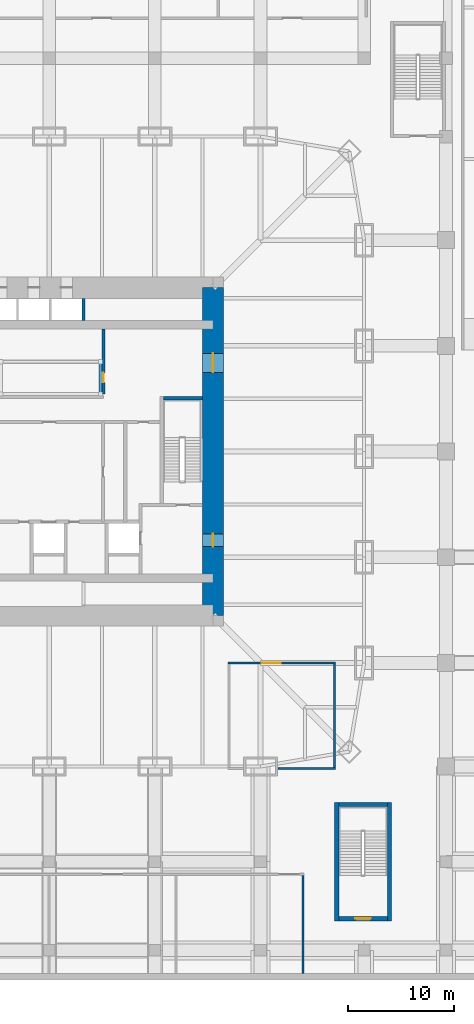
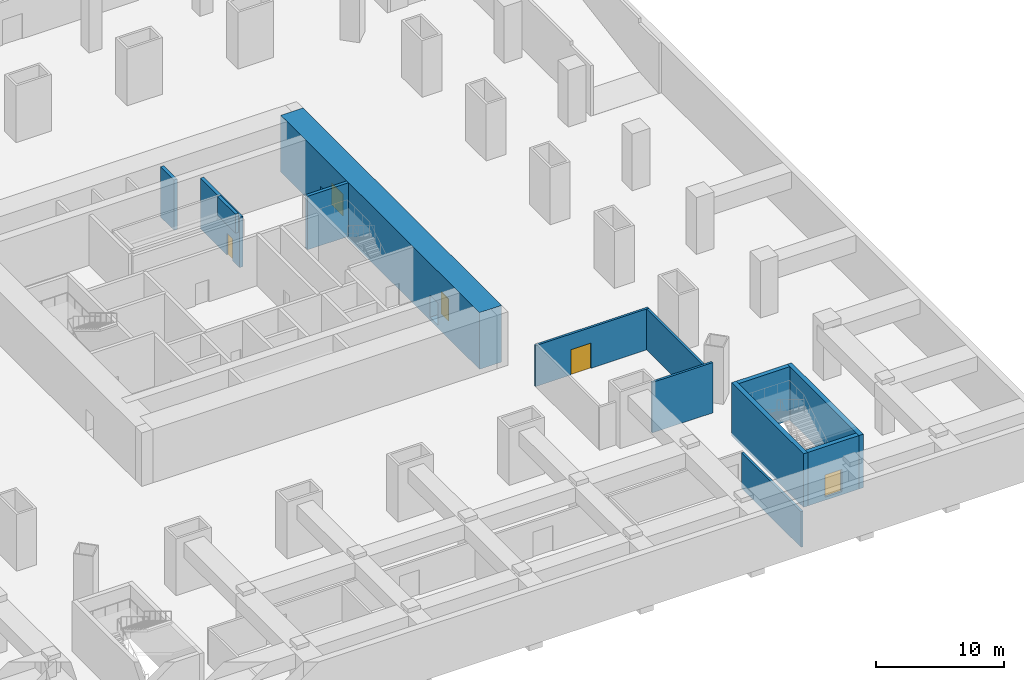
# One storey, part 7 of 12: 13 walls, 5 doors, 5 openings.
"""IFC4 building model written with IfcOpenShell, lengths in metres."""

from ifc_helpers import new_model, si_unit, direction, frame, frame_2d, origin, place, context, subcontext, project, spatial, rectangle, extrude, material, layer, layer_set, type_object, element, fill, save


model = new_model("IFC4")

# Units and contexts
model_context = context("Model", 3, precision=1e-05, world=origin(), true_north=direction((0.0, 1.0)))
body_context = subcontext(model_context, "Body", "Model", "MODEL_VIEW")
ifc_project = project(units=[si_unit("LENGTHUNIT", "METRE"), si_unit("AREAUNIT", "SQUARE_METRE"), si_unit("VOLUMEUNIT", "CUBIC_METRE"), si_unit("PLANEANGLEUNIT", "RADIAN"), si_unit("MASSUNIT", "GRAM", prefix="KILO")], contexts=[model_context])

# Site, building, storey
site_placement = place(None, origin())
site = spatial("IfcSite", under=ifc_project, at=site_placement, CompositionType="ELEMENT")
building_placement = place(site_placement, origin())
building = spatial("IfcBuilding", under=site, at=building_placement, Name="Khuree Lantern Residences", CompositionType="ELEMENT")
storey_placement = place(building_placement, frame((0.0, 0.0, -5.39990234375)))
storey = spatial("IfcBuildingStorey", under=building, at=storey_placement, Name="B1", CompositionType="ELEMENT", Elevation=-5.39990234375)

# Wall
ifc_material_1 = material(Name="Dense concrete blockwork", Category="masonry")
ifc_layer_1 = layer(ifc_material_1, 0.300048828125)
ifc_layer_set_1 = layer_set([ifc_layer_1], Name="CORE PARTITION WALL CPW300 EI 120")
wall_type_1 = type_object("IfcWallType", Name="CORE PARTITION WALL CPW300 EI 120", PredefinedType="PARTITIONING", material=ifc_layer_set_1)
wall_1_placement = place(storey_placement, frame((3.25, 12.39990234375, 0.0), z_axis=(0.0, 0.0, 1.0), x_axis=(0.0, 1.0, 0.0)))
element("IfcWall", 1, at=wall_1_placement, inside=storey, type_object=wall_type_1, Name="B1 CORE WALL PLE", PredefinedType="PARTITIONING", context=body_context, shape_type="SweptSolid", body=[
    extrude(rectangle(XDim=2.10009765625, YDim=0.300048828125, at=frame_2d((1.050048828125, 0.0))), origin(), (0.0, 0.0, 1.0), 4.7998046875),
])

# Wall, opening, door
wall_2_placement = place(storey_placement, frame((5.14990234375, 5.449951171875, 0.0), z_axis=(0.0, 0.0, 1.0), x_axis=(0.0, 1.0, 0.0)))
wall_2 = element("IfcWall", 2, at=wall_2_placement, inside=storey, type_object=wall_type_1, Name="B1 CORE WALL NE", PredefinedType="PARTITIONING", context=body_context, shape_type="SweptSolid", body=[
    extrude(rectangle(XDim=6.150146484375, YDim=0.300048828125, at=frame_2d((3.0751953125, 0.0))), origin(), (0.0, 0.0, 1.0), 4.7998046875),
])
opening_1_placement = place(wall_2_placement, frame((1.10009765625, 0.0, 0.0)))
opening_1 = element("IfcOpeningElement", 3, at=opening_1_placement, cuts=wall_2, Name="Opening B1-020", PredefinedType="OPENING", context=body_context, shape_type="SweptSolid", body=[
    extrude(rectangle(XDim=0.89990234375, YDim=2.10009765625, at=frame_2d((0.449951171875, 1.050048828125))), frame((0.0, 0.16015625, 0.0), z_axis=(0.0, -1.0, 0.0), x_axis=(1.0, 0.0, 0.0)), (0.0, 0.0, 1.0), 0.320068359375),
])
ifc_material_2 = material(Name="Timber door leaf in hardwood frame", Category="wood")
door_type_1 = type_object("IfcDoorType", Name="DOOR 900X2100", OperationType="SINGLE_SWING_LEFT", PredefinedType="DOOR", material=ifc_material_2)
door_1_placement = place(opening_1_placement, origin())
door_1 = element("IfcDoor", 4, at=door_1_placement, inside=storey, type_object=door_type_1, Name="Store door B1-020", OperationType="SINGLE_SWING_LEFT", OverallHeight=2.10009765625, OverallWidth=0.89990234375, PredefinedType="DOOR", context=body_context, shape_type="SweptSolid", body=[
    extrude(rectangle(XDim=0.89990234375, YDim=2.10009765625, at=frame_2d((0.449951171875, 1.050048828125))), frame((0.0, 0.02490234375, 0.0), z_axis=(0.0, -1.0, 0.0), x_axis=(1.0, 0.0, 0.0)), (0.0, 0.0, 1.0), 0.050048828125),
])
fill(opening_1, door_1)

# Wall, openings, doors
ifc_material_3 = material(Name="Concrete C70/85", Category="concrete")
ifc_layer_2 = layer(ifc_material_3, 2.0)
ifc_layer_set_2 = layer_set([ifc_layer_2], Name="CW2000-C70 CORE WALL C70 2000")
wall_type_2 = type_object("IfcWallType", Name="CW2000-C70 CORE WALL C70 2000", PredefinedType="SHEAR", material=ifc_layer_set_2)
wall_3_placement = place(storey_placement, frame((15.5, -15.5, -0.300048828125), z_axis=(0.0, 0.0, 1.0), x_axis=(0.0, 1.0, 0.0)))
wall_3 = element("IfcWall", 5, at=wall_3_placement, inside=storey, type_object=wall_type_2, Name="Core wall E", PredefinedType="SHEAR", context=body_context, shape_type="SweptSolid", body=[
    extrude(rectangle(XDim=31.0, YDim=2.0, at=frame_2d((15.5, 0.0))), origin(), (0.0, 0.0, 1.0), 5.39990234375),
])
opening_2_placement = place(wall_3_placement, frame((6.5, 0.0, 0.300048828125)))
opening_2 = element("IfcOpeningElement", 6, at=opening_2_placement, cuts=wall_3, Name="Opening B1-005", PredefinedType="OPENING", context=body_context, shape_type="SweptSolid", body=[
    extrude(rectangle(XDim=1.199951171875, YDim=2.10009765625, at=frame_2d((0.60009765625, 1.050048828125))), frame((0.0, 1.010009765625, 0.0), z_axis=(0.0, -1.0, 0.0), x_axis=(1.0, 0.0, 0.0)), (0.0, 0.0, 1.0), 2.02001953125),
])
opening_3_placement = place(wall_3_placement, frame((23.0, 0.0, 0.300048828125)))
opening_3 = element("IfcOpeningElement", 7, at=opening_3_placement, cuts=wall_3, Name="Opening B1-006", PredefinedType="OPENING", context=body_context, shape_type="SweptSolid", body=[
    extrude(rectangle(XDim=1.800048828125, YDim=2.10009765625, at=frame_2d((0.89990234375, 1.050048828125))), frame((0.0, 1.010009765625, 0.0), z_axis=(0.0, -1.0, 0.0), x_axis=(1.0, 0.0, 0.0)), (0.0, 0.0, 1.0), 2.02001953125),
])
ifc_material_4 = material(Name="Steel door leaf in steel frame", Category="steel")
door_type_2 = type_object("IfcDoorType", Name="LOBBY DOOR 1200X2100 EI 120", OperationType="SINGLE_SWING_LEFT", PredefinedType="DOOR", material=ifc_material_4)
door_2_placement = place(opening_2_placement, origin())
door_2 = element("IfcDoor", 8, at=door_2_placement, inside=storey, type_object=door_type_2, Name="Firefighting lobby door B1-005", OperationType="SINGLE_SWING_LEFT", OverallHeight=2.10009765625, OverallWidth=1.199951171875, PredefinedType="DOOR", context=body_context, shape_type="SweptSolid", body=[
    extrude(rectangle(XDim=1.199951171875, YDim=2.10009765625, at=frame_2d((0.60009765625, 1.050048828125))), frame((0.0, 0.02490234375, 0.0), z_axis=(0.0, -1.0, 0.0), x_axis=(1.0, 0.0, 0.0)), (0.0, 0.0, 1.0), 0.050048828125),
])
fill(opening_2, door_2)
door_type_3 = type_object("IfcDoorType", Name="LOBBY DOUBLE DOOR 1800X2100 EI 60", OperationType="DOUBLE_DOOR_SINGLE_SWING", PredefinedType="DOOR", material=ifc_material_4)
door_3_placement = place(opening_3_placement, origin())
door_3 = element("IfcDoor", 9, at=door_3_placement, inside=storey, type_object=door_type_3, Name="Lift lobby door B1-006", OperationType="DOUBLE_DOOR_SINGLE_SWING", OverallHeight=2.10009765625, OverallWidth=1.800048828125, PredefinedType="DOOR", context=body_context, shape_type="SweptSolid", body=[
    extrude(rectangle(XDim=1.800048828125, YDim=2.10009765625, at=frame_2d((0.89990234375, 1.050048828125))), frame((0.0, 0.02490234375, 0.0), z_axis=(0.0, -1.0, 0.0), x_axis=(1.0, 0.0, 0.0)), (0.0, 0.0, 1.0), 0.050048828125),
])
fill(opening_3, door_3)

# Walls
ifc_layer_3 = layer(ifc_material_1, 0.199951171875)
ifc_layer_set_3 = layer_set([ifc_layer_3], Name="FIRE-RATED ROOM WALL FRW200 EI 120")
wall_type_3 = type_object("IfcWallType", Name="FIRE-RATED ROOM WALL FRW200 EI 120", PredefinedType="SOLIDWALL", material=ifc_layer_set_3)
wall_4_placement = place(storey_placement, frame((24.0, -49.3798828125, 0.0), z_axis=(0.0, 0.0, 1.0), x_axis=(0.0, 1.0, 0.0)))
element("IfcWall", 10, at=wall_4_placement, inside=storey, type_object=wall_type_3, Name="B1 ROOM WALL 5", PredefinedType="SOLIDWALL", context=body_context, shape_type="SweptSolid", body=[
    extrude(rectangle(XDim=9.27978515625, YDim=0.199951171875, at=frame_2d((4.639892578125, 0.0))), origin(), (0.0, 0.0, 1.0), 3.39990234375),
])
wall_5_placement = place(storey_placement, frame((21.630126953125, -30.0, 0.0), z_axis=(0.0, 0.0, 1.0), x_axis=(1.0, 0.0, 0.0)))
element("IfcWall", 11, at=wall_5_placement, inside=storey, type_object=wall_type_3, Name="B1 ROOM WALL 9", PredefinedType="SOLIDWALL", context=body_context, shape_type="SweptSolid", body=[
    extrude(rectangle(XDim=5.469970703125, YDim=0.199951171875, at=frame_2d((2.73486328125, 0.0))), origin(), (0.0, 0.0, 1.0), 4.7998046875),
])
wall_6_placement = place(storey_placement, frame((27.0, -29.89990234375, 0.0), z_axis=(0.0, 0.0, 1.0), x_axis=(0.0, 1.0, 0.0)))
element("IfcWall", 12, at=wall_6_placement, inside=storey, type_object=wall_type_3, Name="B1 ROOM WALL 11", PredefinedType="SOLIDWALL", context=body_context, shape_type="SweptSolid", body=[
    extrude(rectangle(XDim=9.7998046875, YDim=0.199951171875, at=frame_2d((4.89990234375, 0.0))), origin(), (0.0, 0.0, 1.0), 3.89990234375),
])

# Wall, opening, door
wall_7_placement = place(storey_placement, frame((16.89990234375, -20.0, 0.0), z_axis=(0.0, 0.0, 1.0), x_axis=(1.0, 0.0, 0.0)))
wall_7 = element("IfcWall", 13, at=wall_7_placement, inside=storey, type_object=wall_type_3, Name="B1 ROOM WALL 14", PredefinedType="SOLIDWALL", context=body_context, shape_type="SweptSolid", body=[
    extrude(rectangle(XDim=10.2001953125, YDim=0.199951171875, at=frame_2d((5.10009765625, 0.0))), origin(), (0.0, 0.0, 1.0), 3.89990234375),
])
opening_4_placement = place(wall_7_placement, frame((3.199951171875, 0.0, 0.0)))
opening_4 = element("IfcOpeningElement", 14, at=opening_4_placement, cuts=wall_7, Name="Opening B1-030", PredefinedType="OPENING", context=body_context, shape_type="SweptSolid", body=[
    extrude(rectangle(XDim=1.800048828125, YDim=2.39990234375, at=frame_2d((0.89990234375, 1.199951171875))), frame((0.0, 0.10986328125, 0.0), z_axis=(0.0, -1.0, 0.0), x_axis=(1.0, 0.0, 0.0)), (0.0, 0.0, 1.0), 0.219970703125),
])
door_type_4 = type_object("IfcDoorType", Name="PLANT ROOM DOOR 1800X2400 EI 120", OperationType="DOUBLE_DOOR_SINGLE_SWING", PredefinedType="DOOR", material=ifc_material_4)
door_4_placement = place(opening_4_placement, origin())
door_4 = element("IfcDoor", 15, at=door_4_placement, inside=storey, type_object=door_type_4, Name="Generator room door B1-030", OperationType="DOUBLE_DOOR_SINGLE_SWING", OverallHeight=2.39990234375, OverallWidth=1.800048828125, PredefinedType="DOOR", context=body_context, shape_type="SweptSolid", body=[
    extrude(rectangle(XDim=1.800048828125, YDim=2.39990234375, at=frame_2d((0.89990234375, 1.199951171875))), frame((0.0, 0.02490234375, 0.0), z_axis=(0.0, -1.0, 0.0), x_axis=(1.0, 0.0, 0.0)), (0.0, 0.0, 1.0), 0.050048828125),
])
fill(opening_4, door_4)

# Walls
ifc_material_5 = material(Name="Concrete C40/50", Category="concrete")
ifc_layer_4 = layer(ifc_material_5, 0.300048828125)
ifc_layer_set_4 = layer_set([ifc_layer_4], Name="LIFT PIT WALL PW2 300")
wall_type_4 = type_object("IfcWallType", Name="LIFT PIT WALL PW2 300", PredefinedType="SOLIDWALL", material=ifc_layer_set_4)
wall_8_placement = place(storey_placement, frame((4.85009765625, 5.60009765625, 3.2998046875), z_axis=(0.0, 0.0, 1.0), x_axis=(0.0, 1.0, 0.0)))
element("IfcWall", 16, at=wall_8_placement, inside=storey, type_object=wall_type_4, Name="Lift bank PH pit wall", PredefinedType="SOLIDWALL", context=body_context, shape_type="SweptSolid", body=[
    extrude(rectangle(XDim=2.7998046875, YDim=0.300048828125, at=frame_2d((1.39990234375, 0.0))), origin(), (0.0, 0.0, 1.0), 1.800048828125),
])
ifc_layer_5 = layer(ifc_material_5, 0.39990234375)
ifc_layer_set_5 = layer_set([ifc_layer_5], Name="STAIR WALL BSW400 REI 240")
wall_type_5 = type_object("IfcWallType", Name="STAIR WALL BSW400 REI 240", PredefinedType="SOLIDWALL", material=ifc_layer_set_5)
for number, where, z_axis, x_axis, name in (
    (17, (27.199951171875, -44.39990234375, -0.300048828125), (0.0, 0.0, 1.0), (0.0, 1.0, 0.0), "B1 STAIR ST6 WALL W"),
    (18, (32.199951171875, -44.39990234375, -0.300048828125), (0.0, 0.0, 1.0), (0.0, 1.0, 0.0), "B1 STAIR ST6 WALL E"),
):
    element("IfcWall", number, at=place(storey_placement, frame(where, z_axis=z_axis, x_axis=x_axis)), inside=storey, type_object=wall_type_5, Name=name, PredefinedType="SOLIDWALL", context=body_context, shape_type="SweptSolid", body=[
        extrude(rectangle(XDim=11.199951171875, YDim=0.39990234375, at=frame_2d((5.60009765625, 0.0))), origin(), (0.0, 0.0, 1.0), 5.099853515625),
    ])

# Wall, opening, door
wall_9_placement = place(storey_placement, frame((27.39990234375, -44.199951171875, -0.300048828125), z_axis=(0.0, 0.0, 1.0), x_axis=(1.0, 0.0, 0.0)))
wall_9 = element("IfcWall", 19, at=wall_9_placement, inside=storey, type_object=wall_type_5, Name="B1 STAIR ST6 WALL S", PredefinedType="SOLIDWALL", context=body_context, shape_type="SweptSolid", body=[
    extrude(rectangle(XDim=4.60009765625, YDim=0.39990234375, at=frame_2d((2.300048828125, 0.0))), origin(), (0.0, 0.0, 1.0), 5.099853515625),
])
opening_5_placement = place(wall_9_placement, frame((1.550048828125, 0.0, 0.300048828125)))
opening_5 = element("IfcOpeningElement", 20, at=opening_5_placement, cuts=wall_9, Name="Opening B1-022", PredefinedType="OPENING", context=body_context, shape_type="SweptSolid", body=[
    extrude(rectangle(XDim=1.5, YDim=2.10009765625, at=frame_2d((0.75, 1.050048828125))), frame((0.0, 0.2099609375, 0.0), z_axis=(0.0, -1.0, 0.0), x_axis=(1.0, 0.0, 0.0)), (0.0, 0.0, 1.0), 0.419921875),
])
door_type_5 = type_object("IfcDoorType", Name="STAIR DOOR 1500X2100 EI 120", OperationType="DOUBLE_DOOR_SINGLE_SWING", PredefinedType="DOOR", material=ifc_material_4)
door_5_placement = place(opening_5_placement, origin())
door_5 = element("IfcDoor", 21, at=door_5_placement, inside=storey, type_object=door_type_5, Name="Stair ST6 door B1-022", OperationType="DOUBLE_DOOR_SINGLE_SWING", OverallHeight=2.10009765625, OverallWidth=1.5, PredefinedType="DOOR", context=body_context, shape_type="SweptSolid", body=[
    extrude(rectangle(XDim=1.5, YDim=2.10009765625, at=frame_2d((0.75, 1.050048828125))), frame((0.0, 0.02490234375, 0.0), z_axis=(0.0, -1.0, 0.0), x_axis=(1.0, 0.0, 0.0)), (0.0, 0.0, 1.0), 0.050048828125),
])
fill(opening_5, door_5)

# Walls
wall_10_placement = place(storey_placement, frame((27.39990234375, -33.39990234375, -0.300048828125), z_axis=(0.0, 0.0, 1.0), x_axis=(1.0, 0.0, 0.0)))
element("IfcWall", 22, at=wall_10_placement, inside=storey, type_object=wall_type_5, Name="B1 STAIR ST6 WALL N", PredefinedType="SOLIDWALL", context=body_context, shape_type="SweptSolid", body=[
    extrude(rectangle(XDim=4.60009765625, YDim=0.39990234375, at=frame_2d((2.300048828125, 0.0))), origin(), (0.0, 0.0, 1.0), 5.099853515625),
])
ifc_material_6 = material(Name="Concrete C50/60", Category="concrete")
ifc_layer_6 = layer(ifc_material_6, 0.300048828125)
ifc_layer_set_6 = layer_set([ifc_layer_6], Name="STAIR WALL SRW300 C50/60 REI 240")
wall_type_6 = type_object("IfcWallType", Name="STAIR WALL SRW300 C50/60 REI 240", PredefinedType="SOLIDWALL", material=ifc_layer_set_6)
wall_11_placement = place(storey_placement, frame((14.5, 5.050048828125, 0.0), z_axis=(0.0, 0.0, 1.0), x_axis=(-1.0, 0.0, 0.0)))
element("IfcWall", 23, at=wall_11_placement, inside=storey, type_object=wall_type_6, Name="B1 STAIR WALL ST2N", PredefinedType="SOLIDWALL", context=body_context, shape_type="SweptSolid", body=[
    extrude(rectangle(XDim=3.699951171875, YDim=0.300048828125, at=frame_2d((1.85009765625, 0.0))), origin(), (0.0, 0.0, 1.0), 5.099853515625),
])

save(model, "model.ifc")
